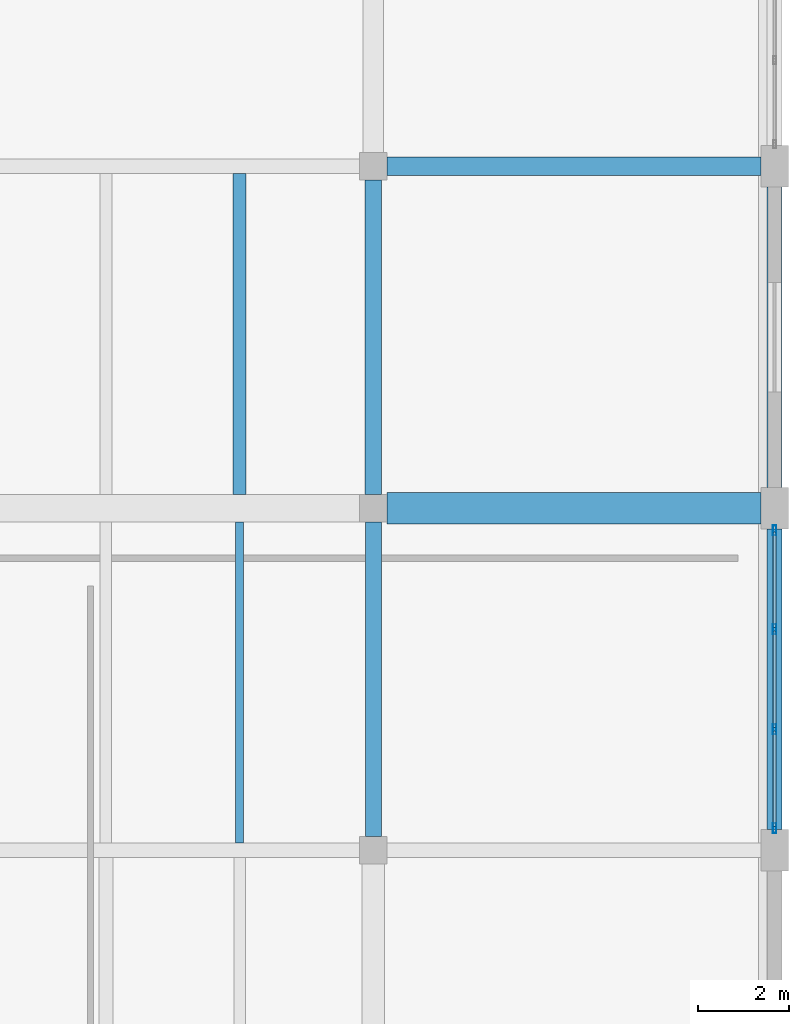
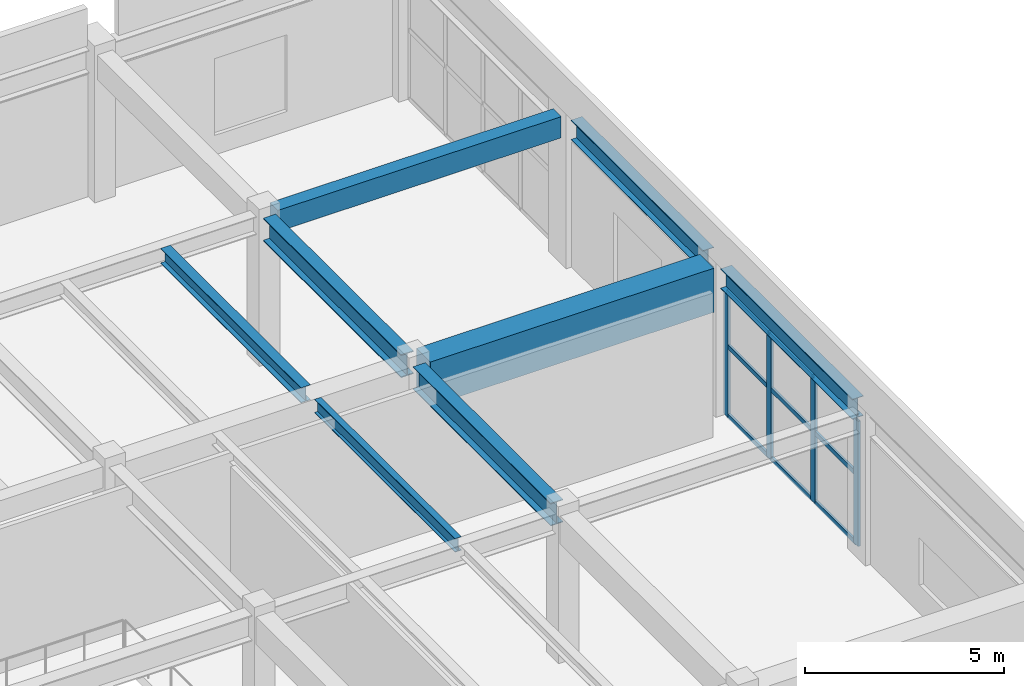
# One storey, part 59 of 96: 13 members, 8 beams, 1 element without a shape of its own.
"""IFC4 building model written with IfcOpenShell, lengths in metres."""

from ifc_helpers import new_model, si_unit, direction, frame, origin, origin_2d, place, context, subcontext, project, spatial, rectangle, hollow_rectangle, i_section, extrude, material, layer, layer_set, material_profile, profile_set, type_object, element, aggregate, save


model = new_model("IFC4")

# Units and contexts
model_context = context("Model", 3, precision=1e-05, world=origin(), true_north=direction((0.0, 1.0)))
body_context = subcontext(model_context, "Body", "Model", "MODEL_VIEW")
ifc_project = project(units=[si_unit("LENGTHUNIT", "METRE"), si_unit("AREAUNIT", "SQUARE_METRE"), si_unit("VOLUMEUNIT", "CUBIC_METRE"), si_unit("PLANEANGLEUNIT", "RADIAN"), si_unit("MASSUNIT", "GRAM", prefix="KILO")], contexts=[model_context])

# Site, building, storey
site_placement = place(None, origin())
site = spatial("IfcSite", under=ifc_project, at=site_placement, CompositionType="ELEMENT")
building_placement = place(site_placement, origin())
building = spatial("IfcBuilding", under=site, at=building_placement, Name="Vaelkrest Opera House", CompositionType="ELEMENT")
storey_placement = place(building_placement, frame((0.0, 0.0, 5.39990234375)))
storey = spatial("IfcBuildingStorey", under=building, at=storey_placement, Name="L01", CompositionType="ELEMENT", Elevation=5.39990234375)

# Beams
ifc_material_1 = material(Name="Concrete C50/60", Category="concrete")
ifc_material_profile_1 = material_profile(ifc_material_1, rectangle(XDim=0.39990234375, YDim=0.64990234375, at=origin_2d()), Name="RCB400X650")
ifc_profile_set_1 = profile_set([ifc_material_profile_1], Name="Concrete C50/60")
beam_type_1 = type_object("IfcBeamType", Name="B01", PredefinedType="BEAM", material=ifc_profile_set_1)
beam_1_placement = place(storey_placement, frame((77.89990234375, 25.199951171875, 4.18017578125), z_axis=(1.0, 0.0, 0.0), x_axis=(0.0, 1.0, 0.0)))
element("IfcBeam", 1, at=beam_1_placement, inside=storey, type_object=beam_type_1, Name="Beam BM-V4-L01-2157", PredefinedType="BEAM", context=body_context, shape_type="SweptSolid", body=[
    extrude(rectangle(XDim=0.39990234375, YDim=0.64990234375, at=origin_2d()), origin(), (0.0, 0.0, 1.0), 8.2001953125),
])
ifc_material_profile_2 = material_profile(ifc_material_1, rectangle(XDim=0.699951171875, YDim=1.35009765625, at=origin_2d()), Name="RCB700X1350")
ifc_profile_set_2 = profile_set([ifc_material_profile_2], Name="Concrete C50/60")
beam_type_2 = type_object("IfcBeamType", Name="B06", PredefinedType="BEAM", material=ifc_profile_set_2)
beam_2_placement = place(storey_placement, frame((77.89990234375, 17.699951171875, 3.830078125), z_axis=(1.0, 0.0, 0.0), x_axis=(0.0, 1.0, 0.0)))
element("IfcBeam", 2, at=beam_2_placement, inside=storey, type_object=beam_type_2, Name="Beam BM-V4-L01-2151", PredefinedType="BEAM", context=body_context, shape_type="SweptSolid", body=[
    extrude(rectangle(XDim=0.699951171875, YDim=1.35009765625, at=origin_2d()), origin(), (0.0, 0.0, 1.0), 8.2001953125),
])
ifc_material_2 = material(Name="Steel A992 Gr50", Category="steel")
ifc_material_profile_3 = material_profile(ifc_material_2, i_section(OverallWidth=0.35498046875, OverallDepth=0.695068359375, WebThickness=0.015380859375, FlangeThickness=0.02490234375, at=origin_2d()), Name="W27X146")
ifc_profile_set_3 = profile_set([ifc_material_profile_3], Name="Steel A992 Gr50")
beam_type_3 = type_object("IfcBeamType", Name="B10", PredefinedType="BEAM", material=ifc_profile_set_3)
beam_3_placement = place(storey_placement, frame((77.60009765625, 10.5, 4.152587890625), z_axis=(0.0, 1.0, 0.0), x_axis=(-1.0, 0.0, 0.0)))
element("IfcBeam", 3, at=beam_3_placement, inside=storey, type_object=beam_type_3, Name="Beam BM-V4-L01-2205", PredefinedType="BEAM", context=body_context, shape_type="SweptSolid", body=[
    extrude(i_section(OverallWidth=0.35498046875, OverallDepth=0.695068359375, WebThickness=0.015380859375, FlangeThickness=0.02490234375, at=origin_2d()), origin(), (0.0, 0.0, 1.0), 6.89990234375),
])
ifc_material_profile_4 = material_profile(ifc_material_2, i_section(OverallWidth=0.35791015625, OverallDepth=0.7060546875, WebThickness=0.018310546875, FlangeThickness=0.0302734375, at=origin_2d()), Name="W27X178")
ifc_profile_set_4 = profile_set([ifc_material_profile_4], Name="Steel A992 Gr50")
beam_type_4 = type_object("IfcBeamType", Name="B14", PredefinedType="BEAM", material=ifc_profile_set_4)
beam_4_placement = place(storey_placement, frame((77.60009765625, 18.0, 4.147216796875), z_axis=(0.0, 1.0, 0.0), x_axis=(-1.0, 0.0, 0.0)))
element("IfcBeam", 4, at=beam_4_placement, inside=storey, type_object=beam_type_4, Name="Beam BM-V4-L01-2206", PredefinedType="BEAM", context=body_context, shape_type="SweptSolid", body=[
    extrude(i_section(OverallWidth=0.35791015625, OverallDepth=0.7060546875, WebThickness=0.018310546875, FlangeThickness=0.0302734375, at=origin_2d()), origin(), (0.0, 0.0, 1.0), 6.89990234375),
])

# Curtain wall, members
ifc_material_3 = material(Name="Dark bronze anodized aluminium", Category="aluminium")
ifc_layer = layer(ifc_material_3, 0.239990234375)
ifc_layer_set = layer_set([ifc_layer], Name="Dark bronze anodized aluminium")
curtain_wall_type = type_object("IfcCurtainWallType", Name="CW07", PredefinedType="NOTDEFINED", material=ifc_layer_set)
curtain_wall_placement = place(storey_placement, origin())
curtain_wall = element("IfcCurtainWall", 5, at=curtain_wall_placement, inside=storey, type_object=curtain_wall_type, Name="Curtain wall CW-L01-158", PredefinedType="NOTDEFINED")
ifc_material_profile_5 = material_profile(ifc_material_3, hollow_rectangle(XDim=0.074951171875, YDim=0.219970703125, WallThickness=0.00439453125, at=origin_2d()), Name="CWM75X220")
ifc_profile_set_5 = profile_set([ifc_material_profile_5], Name="Dark bronze anodized aluminium")
member_type_1 = type_object("IfcMemberType", Name="CWM03", PredefinedType="MULLION", material=ifc_profile_set_5)
member_1_placement = place(storey_placement, frame((86.39990234375, 17.214599609375, 0.0), z_axis=(0.0, 0.0, 1.0), x_axis=(1.0, 0.0, 0.0)))
member_1 = element("IfcMember", 6, at=member_1_placement, type_object=member_type_1, Name="CW07 mullion 1", PredefinedType="MULLION", context=body_context, shape_type="SweptSolid", body=[
    extrude(hollow_rectangle(XDim=0.074951171875, YDim=0.219970703125, WallThickness=0.00439453125, at=origin_2d()), origin(), (0.0, 0.0, 1.0), 3.8291015625),
])
member_2_placement = place(storey_placement, frame((86.39990234375, 15.05078125, 0.0), z_axis=(0.0, 0.0, 1.0), x_axis=(1.0, 0.0, 0.0)))
member_2 = element("IfcMember", 7, at=member_2_placement, type_object=member_type_1, Name="CW07 mullion 2", PredefinedType="MULLION", context=body_context, shape_type="SweptSolid", body=[
    extrude(hollow_rectangle(XDim=0.074951171875, YDim=0.219970703125, WallThickness=0.00439453125, at=origin_2d()), origin(), (0.0, 0.0, 1.0), 3.8291015625),
])
member_3_placement = place(storey_placement, frame((86.39990234375, 12.849365234375, 0.0), z_axis=(0.0, 0.0, 1.0), x_axis=(1.0, 0.0, 0.0)))
member_3 = element("IfcMember", 8, at=member_3_placement, type_object=member_type_1, Name="CW07 mullion 3", PredefinedType="MULLION", context=body_context, shape_type="SweptSolid", body=[
    extrude(hollow_rectangle(XDim=0.074951171875, YDim=0.219970703125, WallThickness=0.00439453125, at=origin_2d()), origin(), (0.0, 0.0, 1.0), 3.8291015625),
])
member_4_placement = place(storey_placement, frame((86.39990234375, 10.685546875, 0.0), z_axis=(0.0, 0.0, 1.0), x_axis=(1.0, 0.0, 0.0)))
member_4 = element("IfcMember", 9, at=member_4_placement, type_object=member_type_1, Name="CW07 mullion 4", PredefinedType="MULLION", context=body_context, shape_type="SweptSolid", body=[
    extrude(hollow_rectangle(XDim=0.074951171875, YDim=0.219970703125, WallThickness=0.00439453125, at=origin_2d()), origin(), (0.0, 0.0, 1.0), 3.8291015625),
])
ifc_material_profile_6 = material_profile(ifc_material_3, hollow_rectangle(XDim=0.06494140625, YDim=0.139892578125, WallThickness=0.00390625, at=origin_2d()), Name="CWT65X140")
ifc_profile_set_6 = profile_set([ifc_material_profile_6], Name="Dark bronze anodized aluminium")
member_type_2 = type_object("IfcMemberType", Name="CWT01", PredefinedType="USERDEFINED", material=ifc_profile_set_6)
member_5_placement = place(storey_placement, frame((86.39990234375, 17.177001953125, 0.03271484375), z_axis=(0.0, -1.0, 0.0), x_axis=(1.0, 0.0, 0.0)))
member_5 = element("IfcMember", 10, at=member_5_placement, type_object=member_type_2, Name="CW07 transom 1.1", ObjectType="TRANSOM", PredefinedType="USERDEFINED", context=body_context, shape_type="SweptSolid", body=[
    extrude(hollow_rectangle(XDim=0.06494140625, YDim=0.139892578125, WallThickness=0.00390625, at=origin_2d()), origin(), (0.0, 0.0, 1.0), 2.0888671875),
])
member_6_placement = place(storey_placement, frame((86.39990234375, 17.177001953125, 2.150146484375), z_axis=(0.0, -1.0, 0.0), x_axis=(1.0, 0.0, 0.0)))
member_6 = element("IfcMember", 11, at=member_6_placement, type_object=member_type_2, Name="CW07 transom 1.2", ObjectType="TRANSOM", PredefinedType="USERDEFINED", context=body_context, shape_type="SweptSolid", body=[
    extrude(hollow_rectangle(XDim=0.06494140625, YDim=0.139892578125, WallThickness=0.00390625, at=origin_2d()), origin(), (0.0, 0.0, 1.0), 2.0888671875),
])
member_7_placement = place(storey_placement, frame((86.39990234375, 17.177001953125, 3.796630859375), z_axis=(0.0, -1.0, 0.0), x_axis=(1.0, 0.0, 0.0)))
member_7 = element("IfcMember", 12, at=member_7_placement, type_object=member_type_2, Name="CW07 transom 1.3", ObjectType="TRANSOM", PredefinedType="USERDEFINED", context=body_context, shape_type="SweptSolid", body=[
    extrude(hollow_rectangle(XDim=0.06494140625, YDim=0.139892578125, WallThickness=0.00390625, at=origin_2d()), origin(), (0.0, 0.0, 1.0), 2.0888671875),
])
member_8_placement = place(storey_placement, frame((86.39990234375, 15.01318359375, 0.03271484375), z_axis=(0.0, -1.0, 0.0), x_axis=(1.0, 0.0, 0.0)))
member_8 = element("IfcMember", 13, at=member_8_placement, type_object=member_type_2, Name="CW07 transom 2.1", ObjectType="TRANSOM", PredefinedType="USERDEFINED", context=body_context, shape_type="SweptSolid", body=[
    extrude(hollow_rectangle(XDim=0.06494140625, YDim=0.139892578125, WallThickness=0.00390625, at=origin_2d()), origin(), (0.0, 0.0, 1.0), 2.12646484375),
])
member_9_placement = place(storey_placement, frame((86.39990234375, 15.01318359375, 2.150146484375), z_axis=(0.0, -1.0, 0.0), x_axis=(1.0, 0.0, 0.0)))
member_9 = element("IfcMember", 14, at=member_9_placement, type_object=member_type_2, Name="CW07 transom 2.2", ObjectType="TRANSOM", PredefinedType="USERDEFINED", context=body_context, shape_type="SweptSolid", body=[
    extrude(hollow_rectangle(XDim=0.06494140625, YDim=0.139892578125, WallThickness=0.00390625, at=origin_2d()), origin(), (0.0, 0.0, 1.0), 2.12646484375),
])
member_10_placement = place(storey_placement, frame((86.39990234375, 15.01318359375, 3.796630859375), z_axis=(0.0, -1.0, 0.0), x_axis=(1.0, 0.0, 0.0)))
member_10 = element("IfcMember", 15, at=member_10_placement, type_object=member_type_2, Name="CW07 transom 2.3", ObjectType="TRANSOM", PredefinedType="USERDEFINED", context=body_context, shape_type="SweptSolid", body=[
    extrude(hollow_rectangle(XDim=0.06494140625, YDim=0.139892578125, WallThickness=0.00390625, at=origin_2d()), origin(), (0.0, 0.0, 1.0), 2.12646484375),
])
member_11_placement = place(storey_placement, frame((86.39990234375, 12.811767578125, 0.03271484375), z_axis=(0.0, -1.0, 0.0), x_axis=(1.0, 0.0, 0.0)))
member_11 = element("IfcMember", 16, at=member_11_placement, type_object=member_type_2, Name="CW07 transom 3.1", ObjectType="TRANSOM", PredefinedType="USERDEFINED", context=body_context, shape_type="SweptSolid", body=[
    extrude(hollow_rectangle(XDim=0.06494140625, YDim=0.139892578125, WallThickness=0.00390625, at=origin_2d()), origin(), (0.0, 0.0, 1.0), 2.0888671875),
])
member_12_placement = place(storey_placement, frame((86.39990234375, 12.811767578125, 2.150146484375), z_axis=(0.0, -1.0, 0.0), x_axis=(1.0, 0.0, 0.0)))
member_12 = element("IfcMember", 17, at=member_12_placement, type_object=member_type_2, Name="CW07 transom 3.2", ObjectType="TRANSOM", PredefinedType="USERDEFINED", context=body_context, shape_type="SweptSolid", body=[
    extrude(hollow_rectangle(XDim=0.06494140625, YDim=0.139892578125, WallThickness=0.00390625, at=origin_2d()), origin(), (0.0, 0.0, 1.0), 2.0888671875),
])
member_13_placement = place(storey_placement, frame((86.39990234375, 12.811767578125, 3.796630859375), z_axis=(0.0, -1.0, 0.0), x_axis=(1.0, 0.0, 0.0)))
member_13 = element("IfcMember", 18, at=member_13_placement, type_object=member_type_2, Name="CW07 transom 3.3", ObjectType="TRANSOM", PredefinedType="USERDEFINED", context=body_context, shape_type="SweptSolid", body=[
    extrude(hollow_rectangle(XDim=0.06494140625, YDim=0.139892578125, WallThickness=0.00390625, at=origin_2d()), origin(), (0.0, 0.0, 1.0), 2.0888671875),
])
aggregate(curtain_wall, [member_1, member_2, member_3, member_4, member_5, member_6, member_7, member_8, member_9, member_10, member_11, member_12, member_13])

# Beams
ifc_material_profile_7 = material_profile(ifc_material_2, i_section(OverallWidth=0.180908203125, OverallDepth=0.4169921875, WebThickness=0.010986328125, FlangeThickness=0.018310546875, at=origin_2d()), Name="W16X57")
ifc_profile_set_7 = profile_set([ifc_material_profile_7], Name="Steel A992 Gr50")
beam_type_5 = type_object("IfcBeamType", Name="J07", PredefinedType="JOIST", material=ifc_profile_set_7)
beam_5_placement = place(storey_placement, frame((74.6669921875, 10.362060546875, 4.29150390625), z_axis=(0.0, 1.0, 0.0), x_axis=(-1.0, 0.0, 0.0)))
element("IfcBeam", 19, at=beam_5_placement, inside=storey, type_object=beam_type_5, Name="Floor joist JST-V4-L01-2247", PredefinedType="JOIST", context=body_context, shape_type="SweptSolid", body=[
    extrude(i_section(OverallWidth=0.180908203125, OverallDepth=0.4169921875, WebThickness=0.010986328125, FlangeThickness=0.018310546875, at=origin_2d()), origin(), (0.0, 0.0, 1.0), 7.037841796875),
])
ifc_material_profile_8 = material_profile(ifc_material_2, i_section(OverallWidth=0.280029296875, OverallDepth=0.462890625, WebThickness=0.0107421875, FlangeThickness=0.017333984375, at=origin_2d()), Name="W18X76")
ifc_profile_set_8 = profile_set([ifc_material_profile_8], Name="Steel A992 Gr50")
beam_type_6 = type_object("IfcBeamType", Name="J09", PredefinedType="JOIST", material=ifc_profile_set_8)
beam_6_placement = place(storey_placement, frame((74.6669921875, 18.0, 4.2685546875), z_axis=(0.0, 1.0, 0.0), x_axis=(-1.0, 0.0, 0.0)))
element("IfcBeam", 20, at=beam_6_placement, inside=storey, type_object=beam_type_6, Name="Floor joist JST-V4-L01-2249", PredefinedType="JOIST", context=body_context, shape_type="SweptSolid", body=[
    extrude(i_section(OverallWidth=0.280029296875, OverallDepth=0.462890625, WebThickness=0.0107421875, FlangeThickness=0.017333984375, at=origin_2d()), origin(), (0.0, 0.0, 1.0), 7.04248046875),
])
ifc_material_profile_9 = material_profile(ifc_material_2, i_section(OverallWidth=0.323974609375, OverallDepth=0.611083984375, WebThickness=0.0126953125, FlangeThickness=0.01904296875, at=origin_2d()), Name="W24X104")
ifc_profile_set_9 = profile_set([ifc_material_profile_9], Name="Steel A992 Gr50")
beam_type_7 = type_object("IfcBeamType", Name="SP01", PredefinedType="SPANDREL", material=ifc_profile_set_9)
for number, where, z_axis, x_axis, name in (
    (21, (86.39990234375, 10.64990234375, 4.19970703125), (0.0, 1.0, 0.0), (-1.0, 0.0, 0.0), "Beam BM-V4-L01-2213"),
    (22, (86.39990234375, 18.14990234375, 4.19970703125), (0.0, 1.0, 0.0), (-1.0, 0.0, 0.0), "Beam BM-V4-L01-2214"),
):
    element("IfcBeam", number, at=place(storey_placement, frame(where, z_axis=z_axis, x_axis=x_axis)), inside=storey, type_object=beam_type_7, Name=name, PredefinedType="SPANDREL", context=body_context, shape_type="SweptSolid", body=[
        extrude(i_section(OverallWidth=0.323974609375, OverallDepth=0.611083984375, WebThickness=0.0126953125, FlangeThickness=0.01904296875, at=origin_2d()), origin(), (0.0, 0.0, 1.0), 6.60009765625),
    ])

save(model, "model.ifc")
